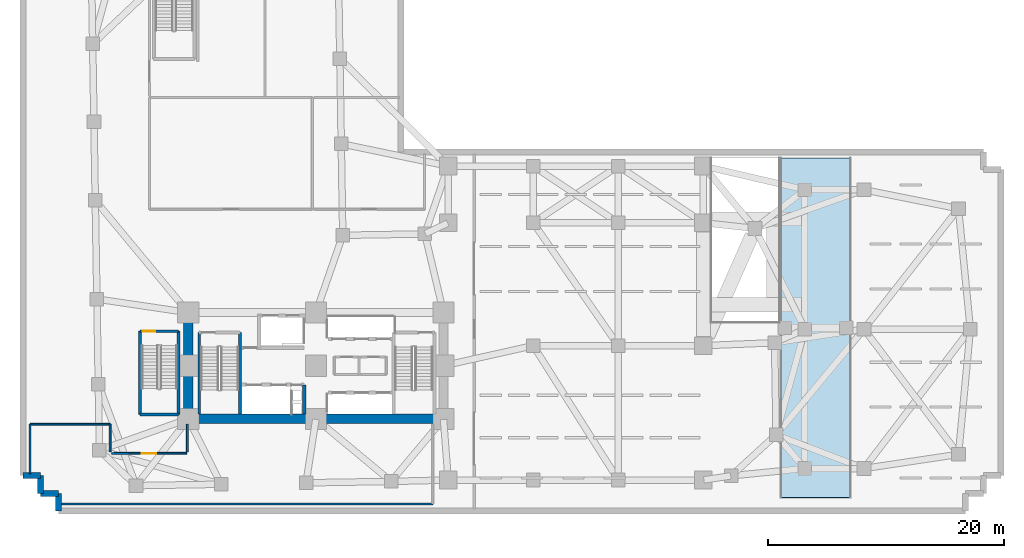
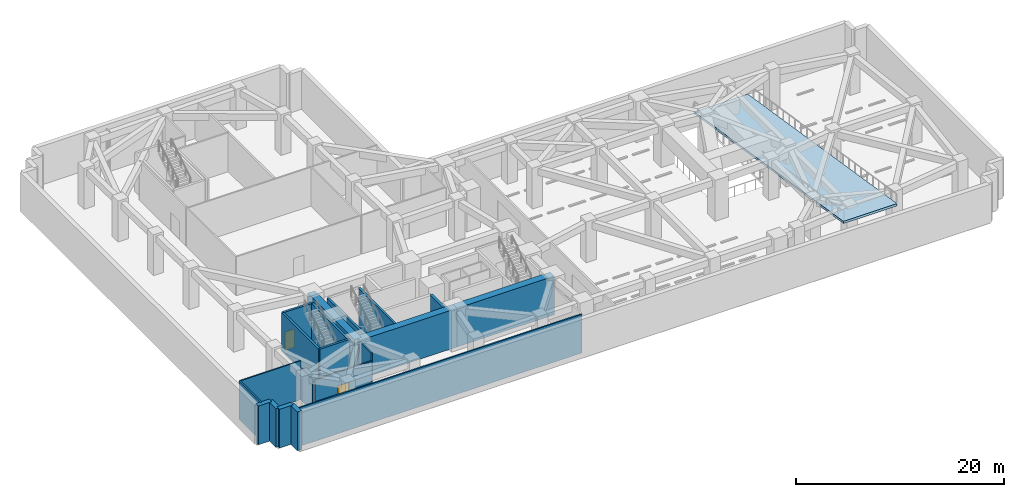
# One storey, part 4 of 11: 20 walls, 2 doors, 1 slab, 2 openings.
"""IFC4 building model written with IfcOpenShell, lengths in metres."""

from ifc_helpers import new_model, si_unit, direction, frame, frame_2d, origin, place, context, subcontext, project, spatial, polyline, rectangle, outline, extrude, material, layer, layer_set, type_object, element, fill, save


model = new_model("IFC4")

# Units and contexts
model_context = context("Model", 3, precision=1e-05, world=origin(), true_north=direction((0.0, 1.0)))
body_context = subcontext(model_context, "Body", "Model", "MODEL_VIEW")
ifc_project = project(units=[si_unit("LENGTHUNIT", "METRE"), si_unit("AREAUNIT", "SQUARE_METRE"), si_unit("VOLUMEUNIT", "CUBIC_METRE"), si_unit("PLANEANGLEUNIT", "RADIAN"), si_unit("MASSUNIT", "GRAM", prefix="KILO")], contexts=[model_context])

# Site, building, storey
site_placement = place(None, origin())
site = spatial("IfcSite", under=ifc_project, at=site_placement, CompositionType="ELEMENT")
building_placement = place(site_placement, origin())
building = spatial("IfcBuilding", under=site, at=building_placement, Name="Gaonmaruhae Medical Tower", CompositionType="ELEMENT")
storey_placement = place(building_placement, frame((0.0, 0.0, -4.800048828125)))
storey = spatial("IfcBuildingStorey", under=building, at=storey_placement, Name="B01", CompositionType="ELEMENT", Elevation=-4.800048828125)

# Slab
ifc_material_1 = material(Name="Concrete C40/50", Category="concrete")
ifc_layer_1 = layer(ifc_material_1, 0.239990234375)
ifc_layer_set_1 = layer_set([ifc_layer_1], Name="Concrete C40/50")
slab_type = type_object("IfcSlabType", Name="VRS-240 Structural Vehicle Ramp Slab", PredefinedType="FLOOR", material=ifc_layer_set_1)
slab_placement = place(storey_placement, frame((64.1201171875, 29.8701171875, 0.2451171875), z_axis=(0.0, 0.15636885185, 0.98769873047), x_axis=(1.0, 0.0, 0.0)))
element("IfcSlab", 1, at=slab_placement, inside=storey, type_object=slab_type, Name="B01 Structural Vehicle Ramp Slab VR2", PredefinedType="FLOOR", context=body_context, shape_type="SweptSolid", body=[
    extrude(outline(polyline([(0.0, 0.0), (5.9599609375, 0.0), (5.9599609375, -29.098178916699467), (0.0, -29.098178916699467), (0.0, 0.0)])), origin(), (0.0, 0.0, -1.0), 0.239990234375),
])

# Walls
ifc_material_2 = material(Name="Concrete C60/75", Category="concrete")
ifc_layer_2 = layer(ifc_material_2, 0.800048828125)
ifc_layer_set_2 = layer_set([ifc_layer_2], Name="Concrete C60/75")
wall_type_1 = type_object("IfcWallType", Name="CW-800 Lower Core Shear Wall", PredefinedType="SHEAR", material=ifc_layer_set_2)
for number, where, z_axis, x_axis, name in (
    (2, (14.0, 7.800048828125, 0.0), (0.0, 0.0, 1.0), (1.0, 0.0, 0.0), "B01 Core Shear Wall CSW-S1"),
    (3, (24.800048828125, 7.800048828125, 0.0), (0.0, 0.0, 1.0), (1.0, 0.0, 0.0), "B01 Core Shear Wall CSW-S2"),
):
    element("IfcWall", number, at=place(storey_placement, frame(where, z_axis=z_axis, x_axis=x_axis)), inside=storey, type_object=wall_type_1, Name=name, PredefinedType="SHEAR", context=body_context, shape_type="SweptSolid", body=[
        extrude(rectangle(XDim=10.800048828125, YDim=0.800048828125, at=frame_2d((5.39990234375, 0.0))), origin(), (0.0, 0.0, 1.0), 4.550048828125),
    ])
wall_1_placement = place(storey_placement, frame((14.0, 16.800048828125, 0.0), z_axis=(0.0, 0.0, 1.0), x_axis=(0.0, -1.0, 0.0)))
element("IfcWall", 4, at=wall_1_placement, inside=storey, type_object=wall_type_1, Name="B01 Core Shear Wall CSW-W1", PredefinedType="SHEAR", context=body_context, shape_type="SweptSolid", body=[
    extrude(rectangle(XDim=9.0, YDim=0.800048828125, at=frame_2d((4.5, 0.0))), origin(), (0.0, 0.0, 1.0), 4.550048828125),
])
ifc_material_3 = material(Name="Gypsum board partition", Category="gypsum")
ifc_layer_3 = layer(ifc_material_3, 0.14990234375)
ifc_layer_set_3 = layer_set([ifc_layer_3], Name="Gypsum board partition")
wall_type_2 = type_object("IfcWallType", Name="PW-150 Rated Clinical Corridor Partition", PredefinedType="PARTITIONING", material=ifc_layer_set_3)
wall_2_placement = place(storey_placement, frame((0.60009765625, 3.159912109375, 0.0), z_axis=(0.0, 0.0, 1.0), x_axis=(0.0, 1.0, 0.0)))
element("IfcWall", 5, at=wall_2_placement, inside=storey, type_object=wall_type_2, Name="B01 Interior Partition B01-LNDY-26", PredefinedType="PARTITIONING", context=body_context, shape_type="SweptSolid", body=[
    extrude(rectangle(XDim=4.190185546875, YDim=0.14990234375, at=frame_2d((2.09521484375, 0.0))), origin(), (0.0, 0.0, 1.0), 4.550048828125),
])
wall_3_placement = place(storey_placement, frame((0.60009765625, 7.35009765625, 0.0), z_axis=(0.0, 0.0, 1.0), x_axis=(1.0, 0.0, 0.0)))
element("IfcWall", 6, at=wall_3_placement, inside=storey, type_object=wall_type_2, Name="B01 Interior Partition B01-LNDY-27", PredefinedType="PARTITIONING", context=body_context, shape_type="SweptSolid", body=[
    extrude(rectangle(XDim=6.77978515625, YDim=0.14990234375, at=frame_2d((3.389892578125, 0.0))), origin(), (0.0, 0.0, 1.0), 4.550048828125),
])
wall_4_placement = place(storey_placement, frame((7.3798828125, 7.35009765625, 0.0), z_axis=(0.0, 0.0, 1.0), x_axis=(0.0, -1.0, 0.0)))
element("IfcWall", 7, at=wall_4_placement, inside=storey, type_object=wall_type_2, Name="B01 Interior Partition B01-LNDY-28", PredefinedType="PARTITIONING", context=body_context, shape_type="SweptSolid", body=[
    extrude(rectangle(XDim=2.35009765625, YDim=0.14990234375, at=frame_2d((1.175048828125, 0.0))), origin(), (0.0, 0.0, 1.0), 3.735107421875),
])

# Wall, opening, door
wall_5_placement = place(storey_placement, frame((7.5, 4.8798828125, 0.0), z_axis=(0.0, 0.0, 1.0), x_axis=(0.999998986882, 0.00142345872, 0.0)))
wall_5 = element("IfcWall", 8, at=wall_5_placement, inside=storey, type_object=wall_type_2, Name="B01 Interior Partition B01-LNDY-29", PredefinedType="PARTITIONING", context=body_context, shape_type="SweptSolid", body=[
    extrude(rectangle(XDim=6.345947265625, YDim=0.14990234375, at=frame_2d((3.1728515625, 0.0))), origin(), (0.0, 0.0, 1.0), 3.735107421875),
])
opening_1_placement = place(wall_5_placement, frame((2.572998046875, 0.0, 0.0)))
opening_1 = element("IfcOpeningElement", 9, at=opening_1_placement, cuts=wall_5, Name="Opening CD-02", PredefinedType="OPENING", context=body_context, shape_type="SweptSolid", body=[
    extrude(rectangle(XDim=1.199951171875, YDim=2.14990234375, at=frame_2d((0.60009765625, 1.074951171875))), frame((0.0, 0.0849609375, 0.0), z_axis=(0.0, -1.0, 0.0), x_axis=(1.0, 0.0, 0.0)), (0.0, 0.0, 1.0), 0.169921875),
])
ifc_material_4 = material(Name="Antimicrobial laminate timber fire door", Category="wood")
door_type_1 = type_object("IfcDoorType", Name="CD-02 Clinical Treatment & Procedure Door 1200x2150", OperationType="NOTDEFINED", PredefinedType="DOOR", material=ifc_material_4)
door_1_placement = place(opening_1_placement, origin())
door_1 = element("IfcDoor", 10, at=door_1_placement, inside=storey, type_object=door_type_1, Name="B01 Hospital Clean Linen Logistics Store Door", OperationType="SINGLE_SWING_LEFT", OverallHeight=2.14990234375, OverallWidth=1.199951171875, PredefinedType="DOOR", context=body_context, shape_type="SweptSolid", body=[
    extrude(rectangle(XDim=1.199951171875, YDim=2.14990234375, at=frame_2d((0.60009765625, 1.074951171875))), frame((0.0, 0.02490234375, 0.0), z_axis=(0.0, -1.0, 0.0), x_axis=(1.0, 0.0, 0.0)), (0.0, 0.0, 1.0), 0.050048828125),
])
fill(opening_1, door_1)

# Walls
wall_6_placement = place(storey_placement, frame((13.919921875, 5.0, 0.0), z_axis=(0.0, 0.0, 1.0), x_axis=(0.0, 1.0, 0.0)))
element("IfcWall", 11, at=wall_6_placement, inside=storey, type_object=wall_type_2, Name="B01 Interior Partition B01-LNDY-30", PredefinedType="PARTITIONING", context=body_context, shape_type="SweptSolid", body=[
    extrude(rectangle(XDim=2.35009765625, YDim=0.14990234375, at=frame_2d((1.175048828125, 0.0))), origin(), (0.0, 0.0, 1.0), 4.550048828125),
])
wall_7_placement = place(storey_placement, frame((34.699951171875, 0.60009765625, 0.0), z_axis=(0.0, 0.0, 1.0), x_axis=(-1.0, 0.0, 0.0)))
element("IfcWall", 12, at=wall_7_placement, inside=storey, type_object=wall_type_2, Name="B01 Interior Partition B01-LNDY-32", PredefinedType="PARTITIONING", context=body_context, shape_type="SweptSolid", body=[
    extrude(rectangle(XDim=31.5400390625, YDim=0.14990234375, at=frame_2d((15.77001953125, 0.0))), origin(), (0.0, 0.0, 1.0), 4.550048828125),
])
ifc_material_5 = material(Name="Concrete C50/60", Category="concrete")
ifc_layer_4 = layer(ifc_material_5, 0.5)
ifc_layer_set_4 = layer_set([ifc_layer_4], Name="Concrete C50/60")
wall_type_3 = type_object("IfcWallType", Name="RW-500 Basement Perimeter Retaining Wall", PredefinedType="USERDEFINED", material=ifc_layer_set_4)
for number, where, z_axis, x_axis, name in (
    (13, (1.5, 3.0, 0.0), (0.0, 0.0, 1.0), (-1.0, 0.0, 0.0), "B01 Perimeter Retaining Wall RW19"),
    (14, (1.5, 1.5, 0.0), (0.0, 0.0, 1.0), (0.0, 1.0, 0.0), "B01 Perimeter Retaining Wall RW20"),
    (15, (3.0, 1.5, 0.0), (0.0, 0.0, 1.0), (-1.0, 0.0, 0.0), "B01 Perimeter Retaining Wall RW21"),
    (16, (3.0, 0.0, 0.0), (0.0, 0.0, 1.0), (0.0, 1.0, 0.0), "B01 Perimeter Retaining Wall RW22"),
):
    element("IfcWall", number, at=place(storey_placement, frame(where, z_axis=z_axis, x_axis=x_axis)), inside=storey, type_object=wall_type_3, Name=name, ObjectType="RETAININGWALL", PredefinedType="USERDEFINED", context=body_context, shape_type="SweptSolid", body=[
        extrude(rectangle(XDim=1.5, YDim=0.5, at=frame_2d((0.75, 0.0))), origin(), (0.0, 0.0, 1.0), 4.550048828125),
    ])
ifc_layer_5 = layer(ifc_material_5, 0.239990234375)
ifc_layer_set_5 = layer_set([ifc_layer_5], Name="Concrete C50/60")
wall_type_4 = type_object("IfcWallType", Name="SW-240 Dogleg Stair Tight Shaft Wall", PredefinedType="SOLIDWALL", material=ifc_layer_set_5)
for number, where, z_axis, x_axis, name in (
    (17, (18.3798828125, 15.1201171875, 0.0), (0.0, 0.0, 1.0), (0.0, -1.0, 0.0), "B01 ST-01 Stair Shaft Wall SHW-ST-01-E"),
    (18, (14.919921875, 8.199951171875, 0.0), (0.0, 0.0, 1.0), (0.0, 1.0, 0.0), "B01 ST-01 Stair Shaft Wall SHW-ST-01-W"),
):
    element("IfcWall", number, at=place(storey_placement, frame(where, z_axis=z_axis, x_axis=x_axis)), inside=storey, type_object=wall_type_4, Name=name, PredefinedType="SOLIDWALL", context=body_context, shape_type="SweptSolid", body=[
        extrude(rectangle(XDim=6.920166015625, YDim=0.239990234375, at=frame_2d((3.4599609375, 0.0))), origin(), (0.0, 0.0, 1.0), 4.550048828125),
    ])

# Wall, opening, door
wall_8_placement = place(storey_placement, frame((9.919921875, 15.219970703125, 0.0), z_axis=(0.0, 0.0, 1.0), x_axis=(1.0, 0.0, 0.0)))
wall_8 = element("IfcWall", 19, at=wall_8_placement, inside=storey, type_object=wall_type_4, Name="B01 ST-03 Stair Shaft Wall SHW-ST-03-N", PredefinedType="SOLIDWALL", context=body_context, shape_type="SweptSolid", body=[
    extrude(rectangle(XDim=3.260009765625, YDim=0.239990234375, at=frame_2d((1.6298828125, 0.0))), origin(), (0.0, 0.0, 1.0), 4.550048828125),
])
opening_2_placement = place(wall_8_placement, frame((0.219970703125, 0.0, 0.0)))
opening_2 = element("IfcOpeningElement", 20, at=opening_2_placement, cuts=wall_8, Name="Opening FD-02", PredefinedType="OPENING", context=body_context, shape_type="SweptSolid", body=[
    extrude(rectangle(XDim=1.050048828125, YDim=2.14990234375, at=frame_2d((0.52490234375, 1.074951171875))), frame((0.0, 0.1298828125, 0.0), z_axis=(0.0, -1.0, 0.0), x_axis=(1.0, 0.0, 0.0)), (0.0, 0.0, 1.0), 0.260009765625),
])
ifc_material_6 = material(Name="Powder-coated steel fire door", Category="steel")
door_type_2 = type_object("IfcDoorType", Name="FD-02 Secondary Stair Fire Door 1050x2150", OperationType="NOTDEFINED", PredefinedType="DOOR", material=ifc_material_6)
door_2_placement = place(opening_2_placement, origin())
door_2 = element("IfcDoor", 21, at=door_2_placement, inside=storey, type_object=door_type_2, Name="B01 ST-03 Protected Escape Stair Door", OperationType="SINGLE_SWING_RIGHT", OverallHeight=2.14990234375, OverallWidth=1.050048828125, PredefinedType="DOOR", context=body_context, shape_type="SweptSolid", body=[
    extrude(rectangle(XDim=1.050048828125, YDim=2.14990234375, at=frame_2d((0.52490234375, 1.074951171875))), frame((0.0, 0.02490234375, 0.0), z_axis=(0.0, -1.0, 0.0), x_axis=(1.0, 0.0, 0.0)), (0.0, 0.0, 1.0), 0.050048828125),
])
fill(opening_2, door_2)

# Walls
wall_9_placement = place(storey_placement, frame((13.179931640625, 15.219970703125, 0.0), z_axis=(0.0, 0.0, 1.0), x_axis=(0.0, -1.0, 0.0)))
element("IfcWall", 22, at=wall_9_placement, inside=storey, type_object=wall_type_4, Name="B01 ST-03 Stair Shaft Wall SHW-ST-03-E", PredefinedType="SOLIDWALL", context=body_context, shape_type="SweptSolid", body=[
    extrude(rectangle(XDim=7.050048828125, YDim=0.239990234375, at=frame_2d((3.52490234375, 0.0))), origin(), (0.0, 0.0, 1.0), 4.550048828125),
])
wall_10_placement = place(storey_placement, frame((13.179931640625, 8.169921875, 0.0), z_axis=(0.0, 0.0, 1.0), x_axis=(-1.0, 0.0, 0.0)))
element("IfcWall", 23, at=wall_10_placement, inside=storey, type_object=wall_type_4, Name="B01 ST-03 Stair Shaft Wall SHW-ST-03-S", PredefinedType="SOLIDWALL", context=body_context, shape_type="SweptSolid", body=[
    extrude(rectangle(XDim=3.260009765625, YDim=0.239990234375, at=frame_2d((1.6298828125, 0.0))), origin(), (0.0, 0.0, 1.0), 4.550048828125),
])
wall_11_placement = place(storey_placement, frame((9.919921875, 8.169921875, 0.0), z_axis=(0.0, 0.0, 1.0), x_axis=(0.0, 1.0, 0.0)))
element("IfcWall", 24, at=wall_11_placement, inside=storey, type_object=wall_type_4, Name="B01 ST-03 Stair Shaft Wall SHW-ST-03-W", PredefinedType="SOLIDWALL", context=body_context, shape_type="SweptSolid", body=[
    extrude(rectangle(XDim=7.050048828125, YDim=0.239990234375, at=frame_2d((3.52490234375, 0.0))), origin(), (0.0, 0.0, 1.0), 4.550048828125),
])
ifc_layer_6 = layer(ifc_material_5, 0.300048828125)
ifc_layer_set_6 = layer_set([ifc_layer_6], Name="Concrete C50/60")
wall_type_5 = type_object("IfcWallType", Name="SW-300 Stair & Lift Hoistway Shaft Wall", PredefinedType="SOLIDWALL", material=ifc_layer_set_6)
wall_12_placement = place(storey_placement, frame((23.800048828125, 8.199951171875, 0.0), z_axis=(0.0, 0.0, 1.0), x_axis=(0.0, 1.0, 0.0)))
element("IfcWall", 25, at=wall_12_placement, inside=storey, type_object=wall_type_5, Name="B01 Shaft Enclosure Wall SHW-FFE", PredefinedType="SOLIDWALL", context=body_context, shape_type="SweptSolid", body=[
    extrude(rectangle(XDim=2.47998046875, YDim=0.300048828125, at=frame_2d((1.239990234375, 0.0))), origin(), (0.0, 0.0, 1.0), 4.550048828125),
])

save(model, "model.ifc")
